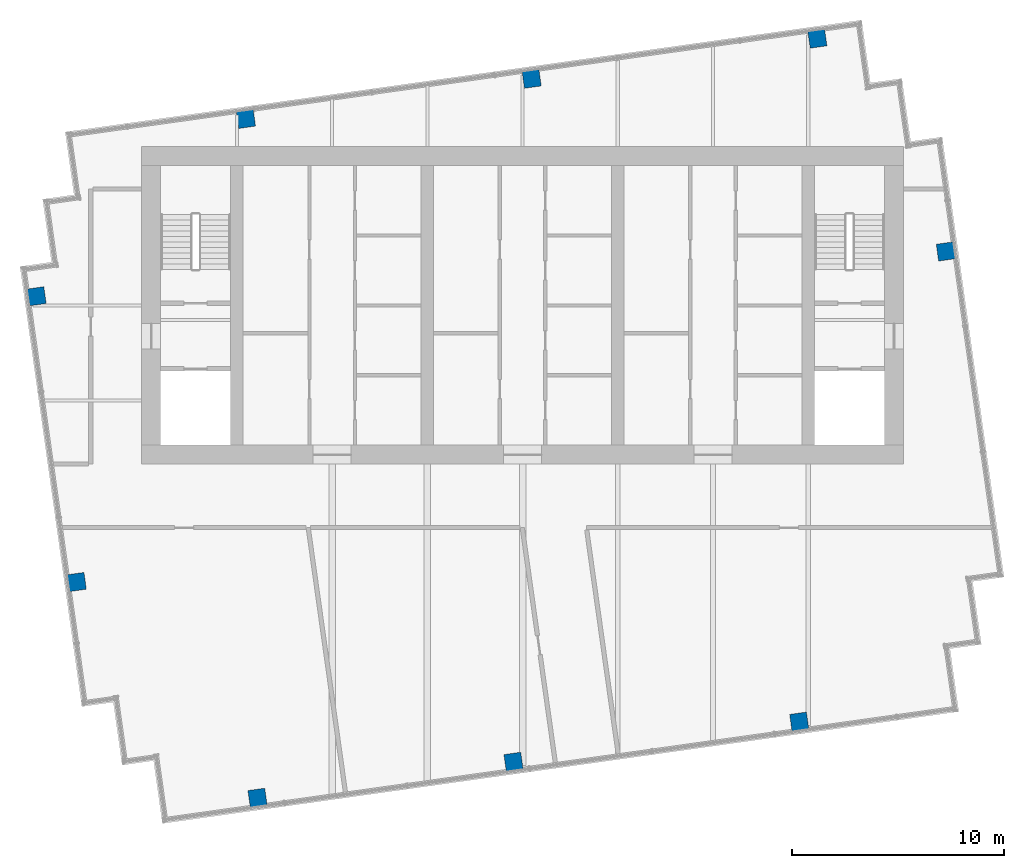
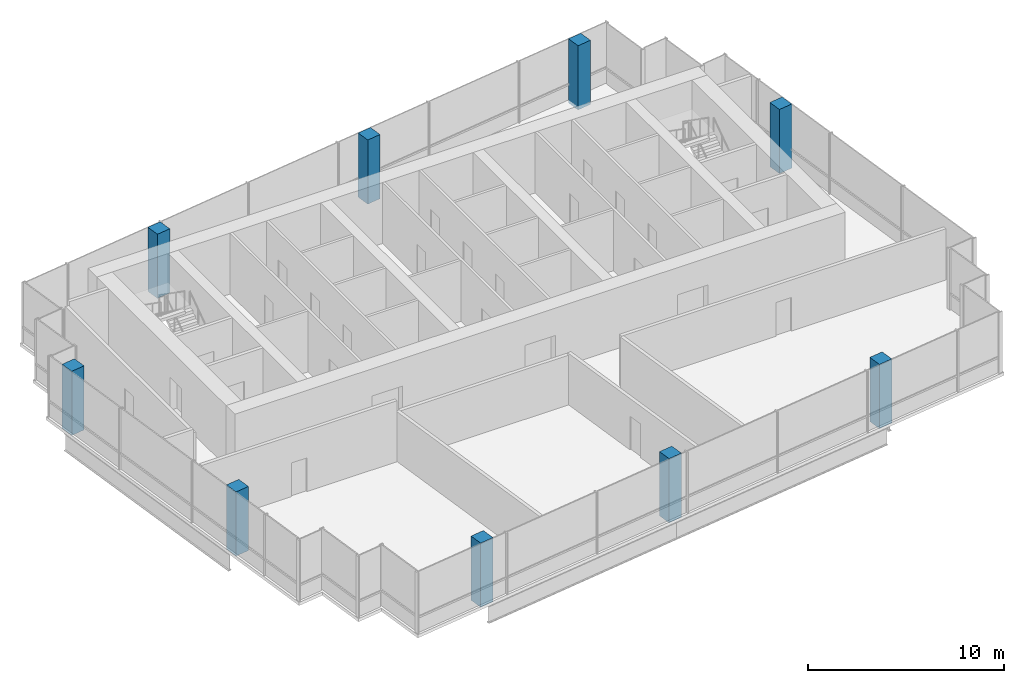
# One storey, part 1 of 10: 9 columns.
"""IFC4 building model written with IfcOpenShell, lengths in metres."""

from ifc_helpers import new_model, si_unit, direction, frame, origin, origin_2d, place, context, subcontext, project, spatial, rectangle, extrude, material, material_profile, profile_set, type_object, element, save


model = new_model("IFC4")

# Units and contexts
model_context = context("Model", 3, precision=1e-05, world=origin(), true_north=direction((0.0, 1.0)))
body_context = subcontext(model_context, "Body", "Model", "MODEL_VIEW")
ifc_project = project(units=[si_unit("LENGTHUNIT", "METRE"), si_unit("AREAUNIT", "SQUARE_METRE"), si_unit("VOLUMEUNIT", "CUBIC_METRE"), si_unit("PLANEANGLEUNIT", "RADIAN"), si_unit("MASSUNIT", "GRAM", prefix="KILO")], contexts=[model_context])

# Site, building, storey
site_placement = place(None, origin())
site = spatial("IfcSite", under=ifc_project, at=site_placement, CompositionType="ELEMENT")
building_placement = place(site_placement, origin())
building = spatial("IfcBuilding", under=site, at=building_placement, Name="Rattan Terrace Tower", CompositionType="ELEMENT")
storey_placement = place(building_placement, frame((0.0, 0.0, 300.300048828125)))
storey = spatial("IfcBuildingStorey", under=building, at=storey_placement, Name="C03", CompositionType="ELEMENT", Elevation=300.300048828125)

# Columns
ifc_material = material(Name="Concrete C40/50", Category="concrete")
ifc_material_profile = material_profile(ifc_material, rectangle(XDim=0.800048828125, YDim=0.800048828125, at=origin_2d()), Name="CFT 800x800")
ifc_profile_set = profile_set([ifc_material_profile], Name="Concrete C40/50")
column_type = type_object("IfcColumnType", Name="Frame lantern column CFT 800x800", PredefinedType="COLUMN", material=ifc_profile_set)
for number, where, z_axis, x_axis, name in (
    (1, (-12.52490234375, -23.26611328125, -0.199951171875), (0.0, 0.0, 1.0), (0.990265639562, 0.139190384377, 0.0), "exo-C03-001"),
    (2, (-0.428955078125, -21.56591796875, -0.199951171875), (0.0, 0.0, 1.0), (0.990265639562, 0.139190384377, 0.0), "exo-C03-002"),
    (3, (13.071044921875, -19.6689453125, -0.199951171875), (0.0, 0.0, 1.0), (0.990265639562, 0.139190384377, 0.0), "exo-C03-003"),
    (4, (-21.06591796875, -13.071044921875, -0.199951171875), (0.0, 0.0, 1.0), (-0.139190384377, 0.990265639562, 0.0), "exo-C03-004"),
    (5, (-22.962890625, 0.428955078125, -0.199951171875), (0.0, 0.0, 1.0), (-0.139190384377, 0.990265639562, 0.0), "exo-C03-005"),
    (6, (19.9990234375, 2.5458984375, -0.199951171875), (0.0, 0.0, 1.0), (-0.139190384377, 0.990265639562, 0.0), "exo-C03-006"),
    (7, (-13.071044921875, 8.80908203125, -0.199951171875), (0.0, 0.0, 1.0), (0.990265639562, 0.139190384377, 0.0), "exo-C03-007"),
    (8, (0.428955078125, 10.70703125, -0.199951171875), (0.0, 0.0, 1.0), (0.990265639562, 0.139190384377, 0.0), "exo-C03-008"),
    (9, (13.928955078125, 12.60400390625, -0.199951171875), (0.0, 0.0, 1.0), (0.990265639562, 0.139190384377, 0.0), "exo-C03-009"),
):
    element("IfcColumn", number, at=place(storey_placement, frame(where, z_axis=z_axis, x_axis=x_axis)), inside=storey, type_object=column_type, Name=name, PredefinedType="COLUMN", context=body_context, shape_type="SweptSolid", body=[
        extrude(rectangle(XDim=0.800048828125, YDim=0.800048828125, at=origin_2d()), origin(), (0.0, 0.0, 1.0), 4.0),
    ])

save(model, "model.ifc")
